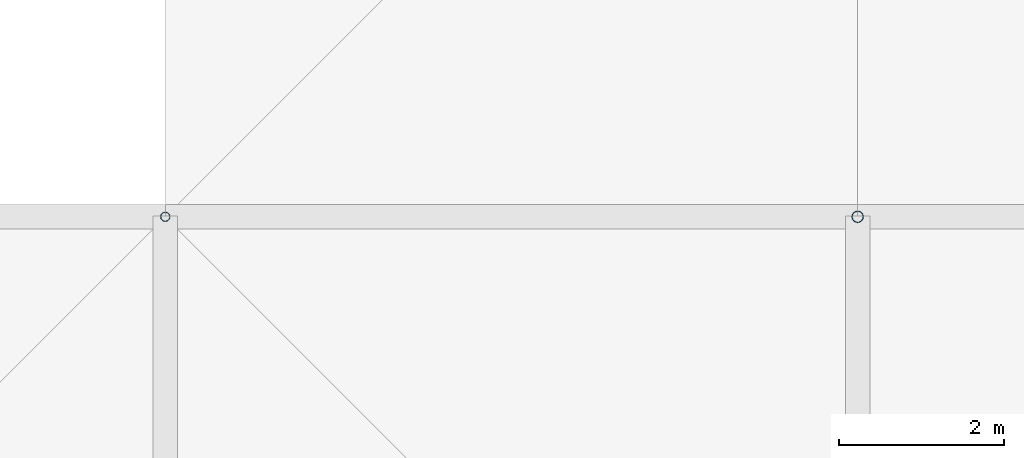
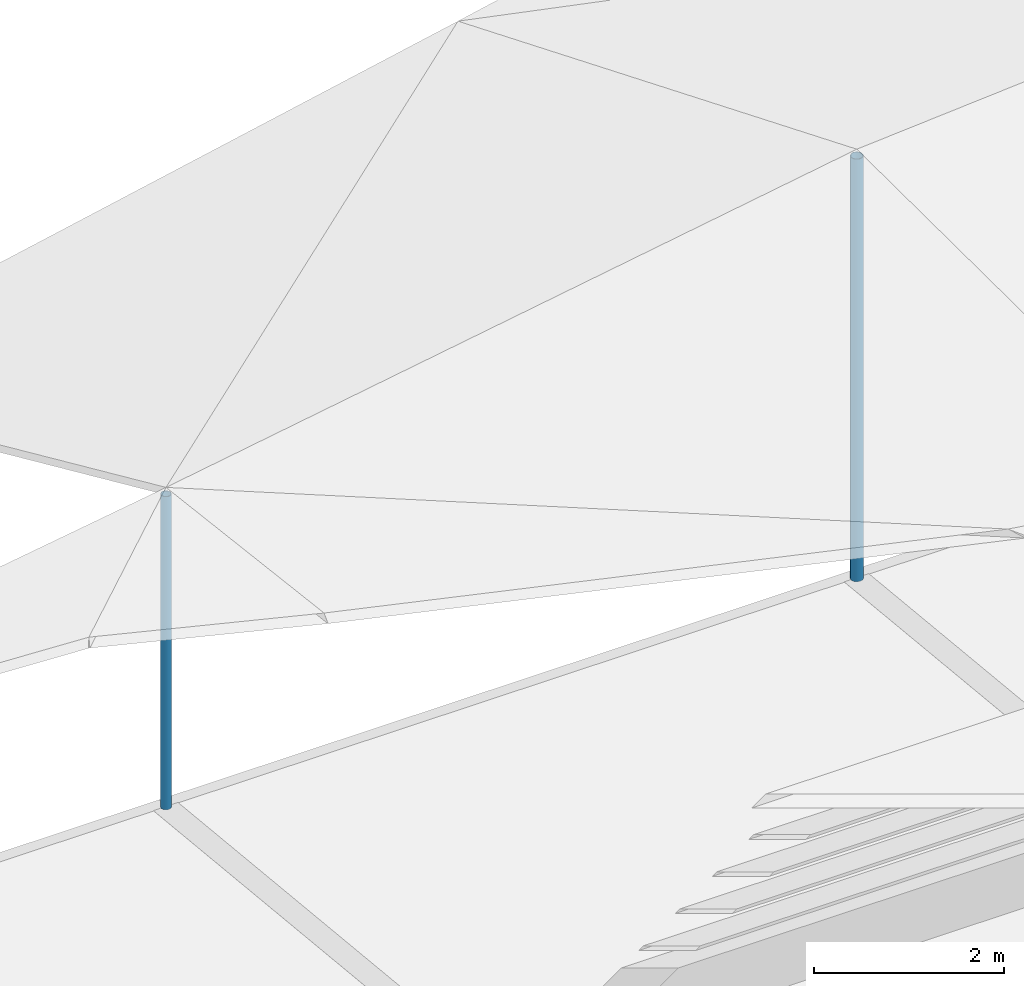
# One storey, part 27 of 46: 2 discrete accessories.
"""IFC4 building model written with IfcOpenShell, lengths in metres."""

from ifc_helpers import new_model, si_unit, direction, frame, origin, origin_2d, place, context, subcontext, project, spatial, hollow_circle, extrude, material, material_profile, profile_set, type_object, element, save


model = new_model("IFC4")

# Units and contexts
model_context = context("Model", 3, precision=1e-05, world=origin(), true_north=direction((0.0, 1.0)))
body_context = subcontext(model_context, "Body", "Model", "MODEL_VIEW")
ifc_project = project(units=[si_unit("LENGTHUNIT", "METRE"), si_unit("AREAUNIT", "SQUARE_METRE"), si_unit("VOLUMEUNIT", "CUBIC_METRE"), si_unit("PLANEANGLEUNIT", "RADIAN"), si_unit("MASSUNIT", "GRAM", prefix="KILO")], contexts=[model_context])

# Site, building, storey
site_placement = place(None, origin())
site = spatial("IfcSite", under=ifc_project, at=site_placement, CompositionType="ELEMENT")
building_placement = place(site_placement, origin())
building = spatial("IfcBuilding", under=site, at=building_placement, Name="Rain Tree Exposition and Congress Centre", CompositionType="ELEMENT")
storey_placement = place(building_placement, frame((0.0, 0.0, 27.0)))
storey = spatial("IfcBuildingStorey", under=building, at=storey_placement, Name="ROOF VAULT CREST", CompositionType="ELEMENT", Elevation=27.0)

# Discrete accessories
ifc_material_1 = material(Name="Steel S355J2H", Category="steel")
ifc_material_profile_1 = material_profile(ifc_material_1, hollow_circle(Radius=0.05712890625, WallThickness=0.00439453125, at=origin_2d()), Name="CHS 114x4.5")
ifc_profile_set_1 = profile_set([ifc_material_profile_1], Name="Steel S355J2H")
discrete_accessory_type_1 = type_object("IfcDiscreteAccessoryType", Name="Roof skin post CHS 114x4.5", PredefinedType="BRACKET", material=ifc_profile_set_1)
discrete_accessory_1_placement = place(storey_placement, frame((159.60009765625, 184.800048828125, 0.551025390625), z_axis=(0.0, 0.0, 1.0), x_axis=(1.0, 0.0, 0.0)))
element("IfcDiscreteAccessory", 1, at=discrete_accessory_1_placement, inside=storey, type_object=discrete_accessory_type_1, Name="Roof skin post B133", PredefinedType="BRACKET", context=body_context, shape_type="SweptSolid", body=[
    extrude(hollow_circle(Radius=0.05712890625, WallThickness=0.00439453125, at=origin_2d()), origin(), (0.0, 0.0, 1.0), 4.027099609375),
])
ifc_material_2 = material(Name="Steel S355J2H", Category="steel")
ifc_material_profile_2 = material_profile(ifc_material_2, hollow_circle(Radius=0.06982421875, WallThickness=0.0048828125, at=origin_2d()), Name="CHS 140x5")
ifc_profile_set_2 = profile_set([ifc_material_profile_2], Name="Steel S355J2H")
discrete_accessory_type_2 = type_object("IfcDiscreteAccessoryType", Name="Roof skin post CHS 140x5", PredefinedType="BRACKET", material=ifc_profile_set_2)
discrete_accessory_2_placement = place(storey_placement, frame((168.0, 184.800048828125, 0.551025390625), z_axis=(0.0, 0.0, 1.0), x_axis=(1.0, 0.0, 0.0)))
element("IfcDiscreteAccessory", 2, at=discrete_accessory_2_placement, inside=storey, type_object=discrete_accessory_type_2, Name="Roof skin post B134", PredefinedType="BRACKET", context=body_context, shape_type="SweptSolid", body=[
    extrude(hollow_circle(Radius=0.06982421875, WallThickness=0.0048828125, at=origin_2d()), origin(), (0.0, 0.0, 1.0), 5.43359375),
])

save(model, "model.ifc")
